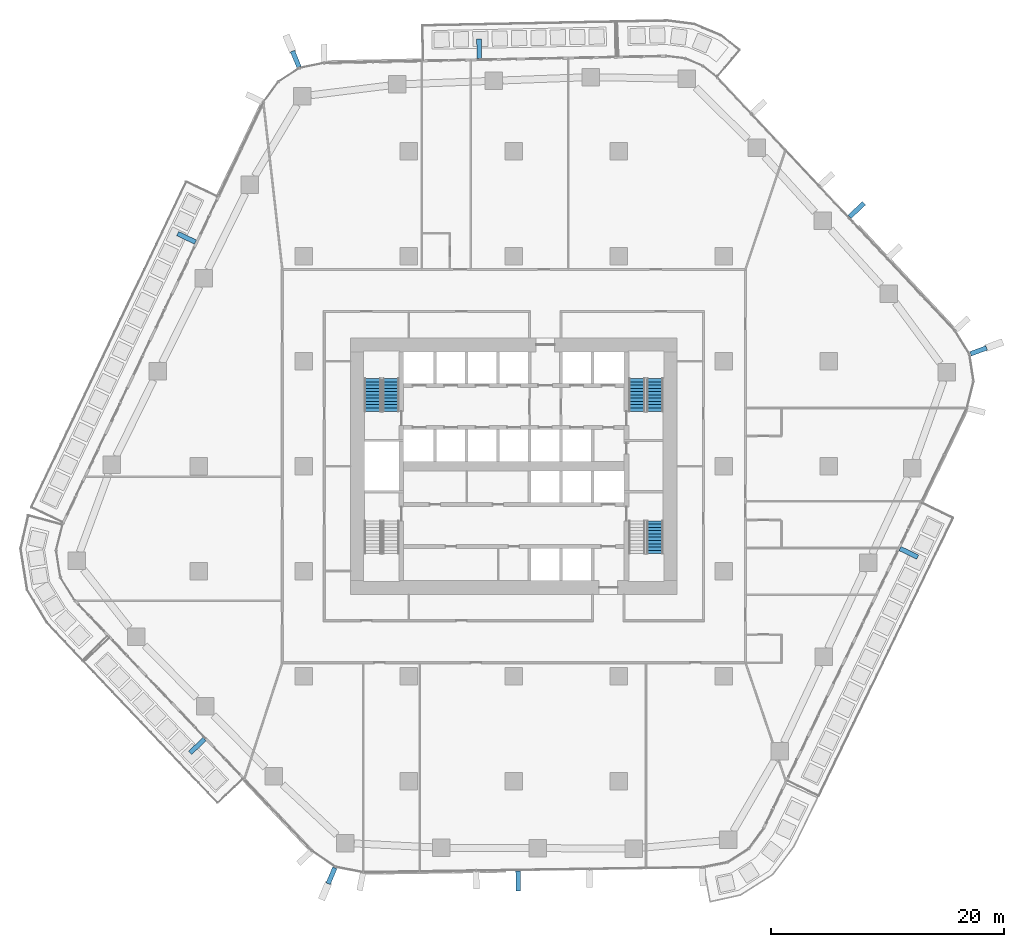
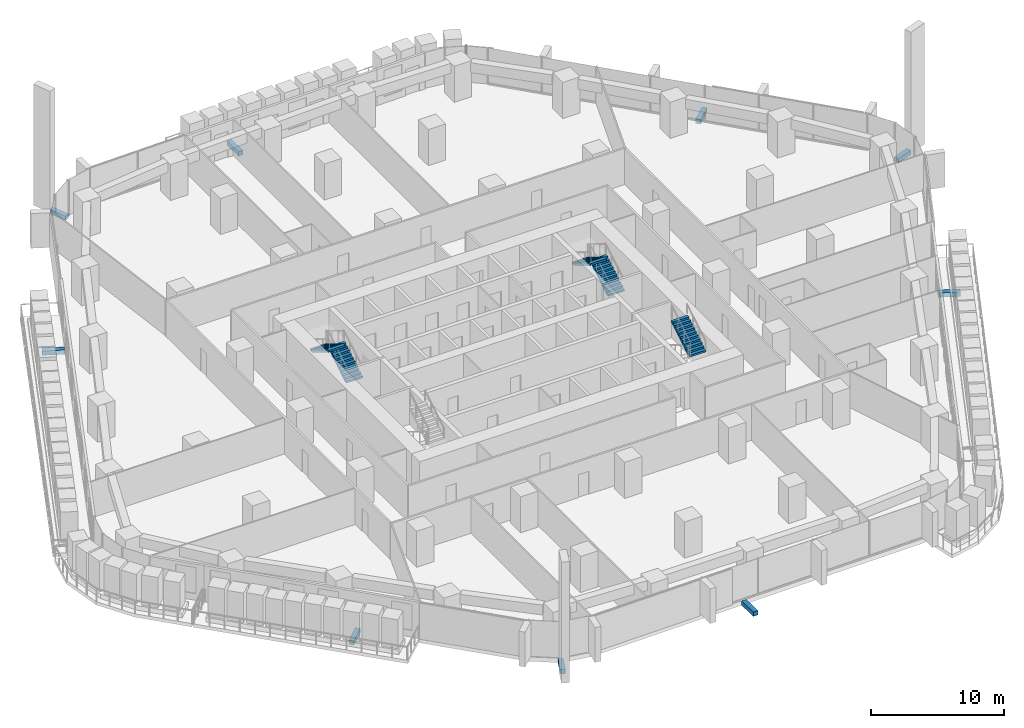
# One storey, part 17 of 24: 9 discrete accessories, 5 stair flights, 3 elements without a shape of their own.
"""IFC4 building model written with IfcOpenShell, lengths in metres."""

from ifc_helpers import new_model, si_unit, direction, frame, origin, origin_2d, place, context, subcontext, project, spatial, polyline, rectangle, outline, extrude, material, layer, layer_set, type_object, element, aggregate, save


model = new_model("IFC4")

# Units and contexts
model_context = context("Model", 3, precision=1e-05, world=origin(), true_north=direction((0.0, 1.0)))
body_context = subcontext(model_context, "Body", "Model", "MODEL_VIEW")
ifc_project = project(units=[si_unit("LENGTHUNIT", "METRE"), si_unit("AREAUNIT", "SQUARE_METRE"), si_unit("VOLUMEUNIT", "CUBIC_METRE"), si_unit("PLANEANGLEUNIT", "RADIAN"), si_unit("MASSUNIT", "GRAM", prefix="KILO")], contexts=[model_context])

# Site, building, storey
site_placement = place(None, origin())
site = spatial("IfcSite", under=ifc_project, at=site_placement, CompositionType="ELEMENT")
building_placement = place(site_placement, origin())
building = spatial("IfcBuilding", under=site, at=building_placement, Name="Dongbaek Canopy Tower", CompositionType="ELEMENT")
storey_placement = place(building_placement, frame((0.0, 0.0, 44.0)))
storey = spatial("IfcBuildingStorey", under=building, at=storey_placement, Name="L06", CompositionType="ELEMENT", Elevation=44.0)

# Stair, stair flights
ifc_material_1 = material(Name="Concrete C40/50", Category="concrete")
stair_type = type_object("IfcStairType", Name="Core exit stair", PredefinedType="HALF_TURN_STAIR", material=ifc_material_1)
stair_1_placement = place(storey_placement, origin())
stair_1 = element("IfcStair", 1, at=stair_1_placement, inside=storey, type_object=stair_type, Name="L06 exit stair A", PredefinedType="HALF_TURN_STAIR")
ifc_material_2 = material(Name="Concrete C40/50", Category="concrete")
ifc_layer = layer(ifc_material_2, 0.14990234375)
ifc_layer_set = layer_set([ifc_layer], Name="Core stair flight 150 waist")
stair_flight_type = type_object("IfcStairFlightType", Name="Core stair flight 150 waist", PredefinedType="STRAIGHT", material=ifc_layer_set)
stair_flight_1_placement = place(storey_placement, frame((12.10009765625, 4.699951171875, 0.0), z_axis=(0.0, 0.0, 1.0), x_axis=(0.0, 1.0, 0.0)))
stair_flight_1 = element("IfcStairFlight", 2, at=stair_flight_1_placement, type_object=stair_flight_type, Name="ST-A flight 1", NumberOfRisers=11, NumberOfTreads=10, PredefinedType="STRAIGHT", RiserHeight=0.168181818, TreadLength=0.28, context=body_context, shape_type="SweptSolid", body=[
    extrude(outline(polyline([(0.0, 0.0), (0.0, 0.168212890625), (0.280029296875, 0.168212890625), (0.280029296875, 0.33642578125), (0.56005859375, 0.33642578125), (0.56005859375, 0.504638671875), (0.840087890625, 0.504638671875), (0.840087890625, 0.672607421875), (1.1201171875, 0.672607421875), (1.1201171875, 0.8408203125), (1.39990234375, 0.8408203125), (1.39990234375, 1.009033203125), (1.679931640625, 1.009033203125), (1.679931640625, 1.17724609375), (1.9599609375, 1.17724609375), (1.9599609375, 1.345458984375), (2.239990234375, 1.345458984375), (2.239990234375, 1.513671875), (2.52001953125, 1.513671875), (2.52001953125, 1.681884765625), (2.800048828125, 1.681884765625), (2.800048828125, 1.85009765625), (2.800048828125, 1.5068359375), (0.291015625, 0.0), (0.0, 0.0)])), frame((0.0, 0.699951171875, 0.0), z_axis=(0.0, -1.0, 0.0), x_axis=(1.0, 0.0, 0.0)), (0.0, 0.0, 1.0), 1.39990234375),
])
stair_flight_2_placement = place(storey_placement, frame((10.550048828125, 7.5, 1.85009765625), z_axis=(0.0, 0.0, 1.0), x_axis=(0.0, -1.0, 0.0)))
stair_flight_2 = element("IfcStairFlight", 3, at=stair_flight_2_placement, type_object=stair_flight_type, Name="ST-A flight 2", NumberOfRisers=11, NumberOfTreads=10, PredefinedType="STRAIGHT", RiserHeight=0.168181818, TreadLength=0.28, context=body_context, shape_type="SweptSolid", body=[
    extrude(outline(polyline([(0.0, 0.0), (0.0, 0.168212890625), (0.280029296875, 0.168212890625), (0.280029296875, 0.33642578125), (0.56005859375, 0.33642578125), (0.56005859375, 0.504638671875), (0.840087890625, 0.504638671875), (0.840087890625, 0.672607421875), (1.1201171875, 0.672607421875), (1.1201171875, 0.8408203125), (1.39990234375, 0.8408203125), (1.39990234375, 1.009033203125), (1.679931640625, 1.009033203125), (1.679931640625, 1.17724609375), (1.9599609375, 1.17724609375), (1.9599609375, 1.345458984375), (2.239990234375, 1.345458984375), (2.239990234375, 1.513671875), (2.52001953125, 1.513671875), (2.52001953125, 1.681884765625), (2.800048828125, 1.681884765625), (2.800048828125, 1.85009765625), (2.800048828125, 1.5068359375), (0.291015625, 0.0), (0.0, 0.0)])), frame((0.0, 0.699951171875, 0.0), z_axis=(0.0, -1.0, 0.0), x_axis=(1.0, 0.0, 0.0)), (0.0, 0.0, 1.0), 1.39990234375),
])
aggregate(stair_1, [stair_flight_1, stair_flight_2])

stair_2_placement = place(storey_placement, origin())
stair_2 = element("IfcStair", 4, at=stair_2_placement, inside=storey, type_object=stair_type, Name="L06 exit stair C", PredefinedType="HALF_TURN_STAIR")
stair_flight_3_placement = place(storey_placement, frame((-10.550048828125, 4.699951171875, 0.0), z_axis=(0.0, 0.0, 1.0), x_axis=(0.0, 1.0, 0.0)))
stair_flight_3 = element("IfcStairFlight", 5, at=stair_flight_3_placement, type_object=stair_flight_type, Name="ST-C flight 1", NumberOfRisers=11, NumberOfTreads=10, PredefinedType="STRAIGHT", RiserHeight=0.168181818, TreadLength=0.28, context=body_context, shape_type="SweptSolid", body=[
    extrude(outline(polyline([(0.0, 0.0), (0.0, 0.168212890625), (0.280029296875, 0.168212890625), (0.280029296875, 0.33642578125), (0.56005859375, 0.33642578125), (0.56005859375, 0.504638671875), (0.840087890625, 0.504638671875), (0.840087890625, 0.672607421875), (1.1201171875, 0.672607421875), (1.1201171875, 0.8408203125), (1.39990234375, 0.8408203125), (1.39990234375, 1.009033203125), (1.679931640625, 1.009033203125), (1.679931640625, 1.17724609375), (1.9599609375, 1.17724609375), (1.9599609375, 1.345458984375), (2.239990234375, 1.345458984375), (2.239990234375, 1.513671875), (2.52001953125, 1.513671875), (2.52001953125, 1.681884765625), (2.800048828125, 1.681884765625), (2.800048828125, 1.85009765625), (2.800048828125, 1.5068359375), (0.291015625, 0.0), (0.0, 0.0)])), frame((0.0, 0.699951171875, 0.0), z_axis=(0.0, -1.0, 0.0), x_axis=(1.0, 0.0, 0.0)), (0.0, 0.0, 1.0), 1.39990234375),
])
stair_flight_4_placement = place(storey_placement, frame((-12.10009765625, 7.5, 1.85009765625), z_axis=(0.0, 0.0, 1.0), x_axis=(0.0, -1.0, 0.0)))
stair_flight_4 = element("IfcStairFlight", 6, at=stair_flight_4_placement, type_object=stair_flight_type, Name="ST-C flight 2", NumberOfRisers=11, NumberOfTreads=10, PredefinedType="STRAIGHT", RiserHeight=0.168181818, TreadLength=0.28, context=body_context, shape_type="SweptSolid", body=[
    extrude(outline(polyline([(0.0, 0.0), (0.0, 0.168212890625), (0.280029296875, 0.168212890625), (0.280029296875, 0.33642578125), (0.56005859375, 0.33642578125), (0.56005859375, 0.504638671875), (0.840087890625, 0.504638671875), (0.840087890625, 0.672607421875), (1.1201171875, 0.672607421875), (1.1201171875, 0.8408203125), (1.39990234375, 0.8408203125), (1.39990234375, 1.009033203125), (1.679931640625, 1.009033203125), (1.679931640625, 1.17724609375), (1.9599609375, 1.17724609375), (1.9599609375, 1.345458984375), (2.239990234375, 1.345458984375), (2.239990234375, 1.513671875), (2.52001953125, 1.513671875), (2.52001953125, 1.681884765625), (2.800048828125, 1.681884765625), (2.800048828125, 1.85009765625), (2.800048828125, 1.5068359375), (0.291015625, 0.0), (0.0, 0.0)])), frame((0.0, 0.699951171875, 0.0), z_axis=(0.0, -1.0, 0.0), x_axis=(1.0, 0.0, 0.0)), (0.0, 0.0, 1.0), 1.39990234375),
])
aggregate(stair_2, [stair_flight_3, stair_flight_4])

# Stair, stair flight
stair_3_placement = place(storey_placement, origin())
stair_3 = element("IfcStair", 7, at=stair_3_placement, inside=storey, type_object=stair_type, Name="L06 exit stair B", PredefinedType="HALF_TURN_STAIR")
stair_flight_5_placement = place(storey_placement, frame((12.10009765625, -7.5, 1.85009765625), z_axis=(0.0, 0.0, 1.0), x_axis=(0.0, 1.0, 0.0)))
stair_flight_5 = element("IfcStairFlight", 8, at=stair_flight_5_placement, type_object=stair_flight_type, Name="ST-B flight 2", NumberOfRisers=11, NumberOfTreads=10, PredefinedType="STRAIGHT", RiserHeight=0.168181818, TreadLength=0.28, context=body_context, shape_type="SweptSolid", body=[
    extrude(outline(polyline([(0.0, 0.0), (0.0, 0.168212890625), (0.280029296875, 0.168212890625), (0.280029296875, 0.33642578125), (0.56005859375, 0.33642578125), (0.56005859375, 0.504638671875), (0.840087890625, 0.504638671875), (0.840087890625, 0.672607421875), (1.1201171875, 0.672607421875), (1.1201171875, 0.8408203125), (1.39990234375, 0.8408203125), (1.39990234375, 1.009033203125), (1.679931640625, 1.009033203125), (1.679931640625, 1.17724609375), (1.9599609375, 1.17724609375), (1.9599609375, 1.345458984375), (2.239990234375, 1.345458984375), (2.239990234375, 1.513671875), (2.52001953125, 1.513671875), (2.52001953125, 1.681884765625), (2.800048828125, 1.681884765625), (2.800048828125, 1.85009765625), (2.800048828125, 1.5068359375), (0.291015625, 0.0), (0.0, 0.0)])), frame((0.0, 0.699951171875, 0.0), z_axis=(0.0, -1.0, 0.0), x_axis=(1.0, 0.0, 0.0)), (0.0, 0.0, 1.0), 1.39990234375),
])
aggregate(stair_3, [stair_flight_5])

# Discrete accessories
ifc_material_3 = material(Name="Galvanised steel S355 bracket", Category="steel")
discrete_accessory_type = type_object("IfcDiscreteAccessoryType", Name="Crease fin bracket BR3 400", PredefinedType="BRACKET", material=ifc_material_3)
discrete_accessory_1_placement = place(storey_placement, frame((33.8642578125, -7.4375, -0.39990234375), z_axis=(0.0, 0.0, 1.0), x_axis=(0.900311934697, -0.435245241493, 0.0)))
element("IfcDiscreteAccessory", 9, at=discrete_accessory_1_placement, inside=storey, type_object=discrete_accessory_type, Name="Crease fin bracket L06 F5", PredefinedType="BRACKET", context=body_context, shape_type="SweptSolid", body=[
    extrude(rectangle(XDim=1.680908203125, YDim=0.39990234375, at=origin_2d()), origin(), (0.0, 0.0, 1.0), 0.39990234375),
])
discrete_accessory_2_placement = place(storey_placement, frame((29.3955078125, 21.9501953125, -0.39990234375), z_axis=(0.0, 0.0, 1.0), x_axis=(0.729368747427, 0.684120771704, 0.0)))
element("IfcDiscreteAccessory", 10, at=discrete_accessory_2_placement, inside=storey, type_object=discrete_accessory_type, Name="Crease fin bracket L06 F0", PredefinedType="BRACKET", context=body_context, shape_type="SweptSolid", body=[
    extrude(rectangle(XDim=1.689697265625, YDim=0.39990234375, at=origin_2d()), origin(), (0.0, 0.0, 1.0), 0.39990234375),
])
discrete_accessory_3_placement = place(storey_placement, frame((-2.974609375, 35.775390625, -0.39990234375), z_axis=(0.0, 0.0, 1.0), x_axis=(-0.019925105424, 0.999801475381, 0.0)))
element("IfcDiscreteAccessory", 11, at=discrete_accessory_3_placement, inside=storey, type_object=discrete_accessory_type, Name="Crease fin bracket L06 F1", PredefinedType="BRACKET", context=body_context, shape_type="SweptSolid", body=[
    extrude(rectangle(XDim=1.696533203125, YDim=0.39990234375, at=origin_2d()), origin(), (0.0, 0.0, 1.0), 0.39990234375),
])
discrete_accessory_4_placement = place(storey_placement, frame((-28.056640625, 19.565673828125, -0.39990234375), z_axis=(0.0, 0.0, 1.0), x_axis=(-0.902929129641, 0.429789468049, 0.0)))
element("IfcDiscreteAccessory", 12, at=discrete_accessory_4_placement, inside=storey, type_object=discrete_accessory_type, Name="Crease fin bracket L06 F2", PredefinedType="BRACKET", context=body_context, shape_type="SweptSolid", body=[
    extrude(rectangle(XDim=1.691162109375, YDim=0.39990234375, at=origin_2d()), origin(), (0.0, 0.0, 1.0), 0.39990234375),
])
discrete_accessory_5_placement = place(storey_placement, frame((-27.1337890625, -23.994140625, -0.39990234375), z_axis=(0.0, 0.0, 1.0), x_axis=(-0.725626617414, -0.688088665871, 0.0)))
element("IfcDiscreteAccessory", 13, at=discrete_accessory_5_placement, inside=storey, type_object=discrete_accessory_type, Name="Crease fin bracket L06 F3", PredefinedType="BRACKET", context=body_context, shape_type="SweptSolid", body=[
    extrude(rectangle(XDim=1.7158203125, YDim=0.39990234375, at=origin_2d()), origin(), (0.0, 0.0, 1.0), 0.39990234375),
])
discrete_accessory_6_placement = place(storey_placement, frame((0.3720703125, -35.57421875, -0.39990234375), z_axis=(0.0, 0.0, 1.0), x_axis=(0.014618357116, -0.999893146109, 0.0)))
element("IfcDiscreteAccessory", 14, at=discrete_accessory_6_placement, inside=storey, type_object=discrete_accessory_type, Name="Crease fin bracket L06 F4", PredefinedType="BRACKET", context=body_context, shape_type="SweptSolid", body=[
    extrude(rectangle(XDim=1.711181640625, YDim=0.39990234375, at=origin_2d()), origin(), (0.0, 0.0, 1.0), 0.39990234375),
])
for number, where, z_axis, x_axis, name in (
    (15, (39.835693359375, 9.877197265625, -0.39990234375), (0.0, 0.0, 1.0), (0.938629752704, 0.344926350601, 0.0), "Corner fin bracket L06 K0"),
    (16, (-18.69775390625, 34.8955078125, -0.39990234375), (0.0, 0.0, 1.0), (-0.379075035592, 0.925365937017, 0.0), "Corner fin bracket L06 K2"),
    (17, (-15.632568359375, -35.120361328125, -0.39990234375), (0.0, 0.0, 1.0), (-0.38818641788, -0.921580872725, 0.0), "Corner fin bracket L06 K4"),
):
    element("IfcDiscreteAccessory", number, at=place(storey_placement, frame(where, z_axis=z_axis, x_axis=x_axis)), inside=storey, type_object=discrete_accessory_type, Name=name, PredefinedType="BRACKET", context=body_context, shape_type="SweptSolid", body=[
        extrude(rectangle(XDim=1.469970703125, YDim=0.39990234375, at=origin_2d()), origin(), (0.0, 0.0, 1.0), 0.39990234375),
    ])

save(model, "model.ifc")
